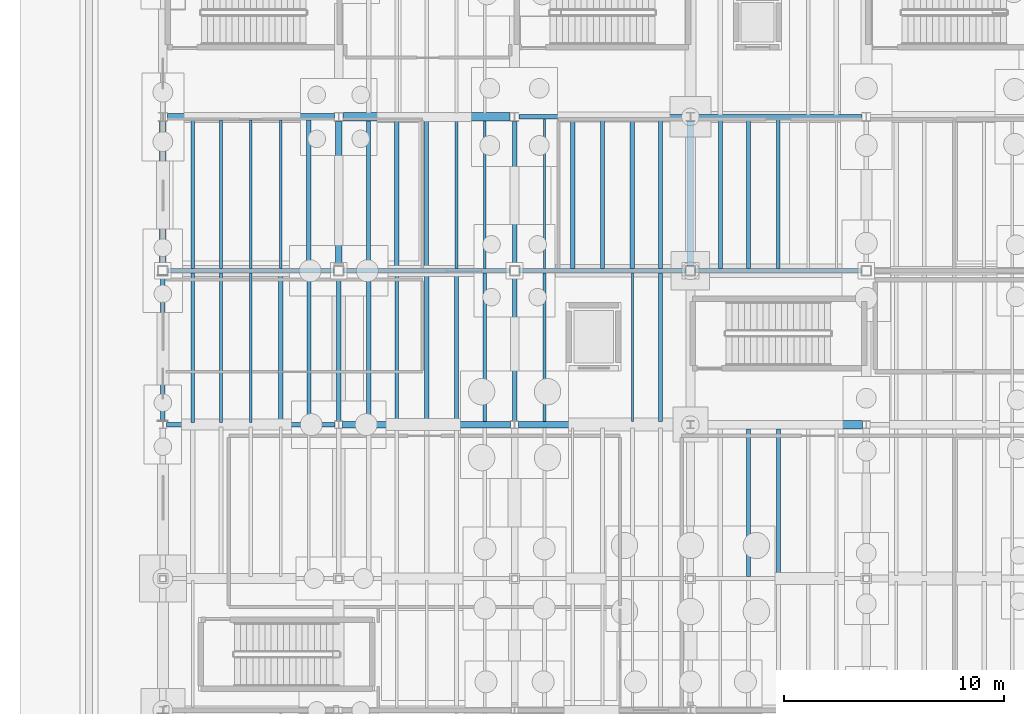
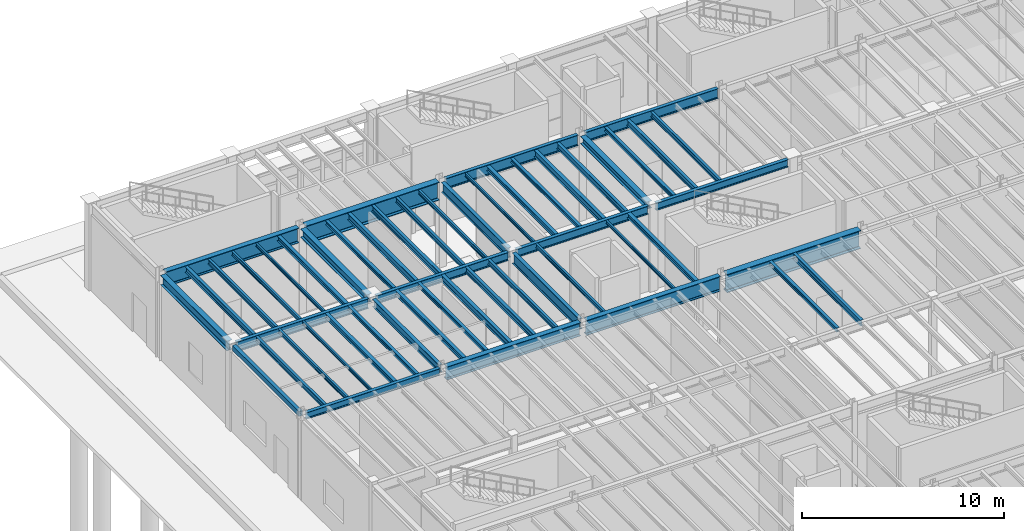
# One storey, part 27 of 86: 52 beams.
"""IFC4 building model written with IfcOpenShell, lengths in metres."""

import ifcopenshell
import ifcopenshell.guid

model = None  # the IFC model being written
_history = None  # IfcOwnerHistory: only IFC2X3 demands one
_inside = {}  # id of a spatial element -> (the spatial element, [elements in it])
_under = {}  # id of a project, library or spatial element -> (it, [spatial elements below it])
_declared = {}  # id of a project -> (the project, [libraries it declares])
_typed = {}  # id of a type object -> (the type object, [elements of that type])
_made_of = {}  # id of a material, layer set ... -> (it, [elements and type objects made of it])


def new_model(schema):
    """Start an empty IFC model of exactly this schema.

    Asked for "IFC4X3", IfcOpenShell would pick the latest addendum, in which some entities
    have other attributes; the version numbers below select the first issue.
    IFC2X3 requires an IfcOwnerHistory on every rooted entity: one is made here for all.
    """
    global model, _history
    if schema == "IFC4X3":
        model = ifcopenshell.file(schema_version=(4, 3, 0, 0))
    else:
        model = ifcopenshell.file(schema=schema)
    _inside.clear()
    _under.clear()
    _declared.clear()
    _typed.clear()
    _made_of.clear()
    _history = None
    if model.schema == "IFC2X3":
        org = make("IfcOrganization", Name="unknown")
        user = make(
            "IfcPersonAndOrganization",
            ThePerson=make("IfcPerson", FamilyName="unknown"),
            TheOrganization=org,
        )
        app = make(
            "IfcApplication",
            ApplicationDeveloper=org,
            Version="unknown",
            ApplicationFullName="unknown",
            ApplicationIdentifier="unknown",
        )
        _history = make(
            "IfcOwnerHistory",
            OwningUser=user,
            OwningApplication=app,
            ChangeAction="ADDED",
            CreationDate=0,
        )
    return model


def make(cls, **values):
    """One entity of the class cls with the attributes given. An attribute that is None is left unset."""
    return model.create_entity(
        cls, **{name: value for name, value in values.items() if value is not None}
    )


def rooted(cls, **values):
    """An entity with a GlobalId (a new one), such as an element, a storey or a relation."""
    return make(cls, GlobalId=ifcopenshell.guid.new(), OwnerHistory=_history, **values)


def si_unit(unit_type, name, prefix=None):
    """IfcSIUnit, for example si_unit("LENGTHUNIT", "METRE", prefix="MILLI")."""
    return make("IfcSIUnit", UnitType=unit_type, Prefix=prefix, Name=name)


def assignment(units):
    """IfcUnitAssignment: the units of a project."""
    return None if units is None else make("IfcUnitAssignment", Units=units)


def point(xyz):
    """IfcCartesianPoint."""
    return None if xyz is None else make("IfcCartesianPoint", Coordinates=xyz)


def direction(xyz):
    """IfcDirection."""
    return None if xyz is None else make("IfcDirection", DirectionRatios=xyz)


def frame(location, z_axis=None, x_axis=None):
    """IfcAxis2Placement3D, a coordinate frame: its origin and axes. An axis left out is left unset."""
    return make(
        "IfcAxis2Placement3D",
        Location=point(location),
        Axis=direction(z_axis),
        RefDirection=direction(x_axis),
    )


def frame_2d(location, x_axis=None):
    """IfcAxis2Placement2D, a coordinate frame in the plane: its origin and x axis."""
    return make(
        "IfcAxis2Placement2D", Location=point(location), RefDirection=direction(x_axis)
    )


def origin():
    """The frame at (0, 0, 0) with its axes left unset."""
    return frame((0.0, 0.0, 0.0))


def origin_2d():
    """The frame at (0, 0) in the plane with its x axis left unset."""
    return frame_2d((0.0, 0.0))


def place(relative_to, where):
    """IfcLocalPlacement: puts the frame where relative to a parent placement (None: the world)."""
    return make(
        "IfcLocalPlacement", PlacementRelTo=relative_to, RelativePlacement=where
    )


def context(
    kind, dimensions, precision=None, world=None, true_north=None, identifier=None
):
    """IfcGeometricRepresentationContext, for example the 3D "Model" context."""
    return make(
        "IfcGeometricRepresentationContext",
        ContextIdentifier=identifier,
        ContextType=kind,
        CoordinateSpaceDimension=dimensions,
        Precision=precision,
        WorldCoordinateSystem=world,
        TrueNorth=true_north,
    )


def subcontext(parent, identifier, kind, view, scale=None):
    """IfcGeometricRepresentationSubContext, for example "Body" below "Model"."""
    return make(
        "IfcGeometricRepresentationSubContext",
        ContextIdentifier=identifier,
        ContextType=kind,
        ParentContext=parent,
        TargetScale=scale,
        TargetView=view,
    )


def project(units=None, contexts=None):
    """IfcProject with its units and contexts."""
    return rooted(
        "IfcProject",
        Name="project",
        RepresentationContexts=contexts,
        UnitsInContext=assignment(units),
    )


def spatial(cls, under=None, at=None, **own):
    """A site, building, storey or space (cls), placed at a placement, below another one or the project."""
    s = rooted(cls, ObjectPlacement=at, **own)
    if under is not None:
        _under.setdefault(under.id(), (under, []))[1].append(s)
    return s


def profile(cls, at=None, kind="AREA", **sizes):
    """A parametric profile (cls). Its sizes go by their IFC names, for example OverallWidth=200.0."""
    return make(cls, ProfileType=kind, Position=at, **sizes)


def hollow_rectangle(**sizes):
    """IfcRectangleHollowProfileDef."""
    return profile("IfcRectangleHollowProfileDef", **sizes)


def i_section(**sizes):
    """IfcIShapeProfileDef."""
    return profile("IfcIShapeProfileDef", **sizes)


def extrude(swept, where, along, depth):
    """IfcExtrudedAreaSolid: the profile swept, set in the frame where, extruded along a direction by depth."""
    return make(
        "IfcExtrudedAreaSolid",
        SweptArea=swept,
        Position=where,
        ExtrudedDirection=direction(along),
        Depth=depth,
    )


def shape(context_of_items, identifier, shape_type, items):
    """IfcShapeRepresentation: the items that make up one representation, for example the "Body"."""
    return make(
        "IfcShapeRepresentation",
        ContextOfItems=context_of_items,
        RepresentationIdentifier=identifier,
        RepresentationType=shape_type,
        Items=items,
    )


def material(Name=None, Category=None):
    """IfcMaterial."""
    return make("IfcMaterial", Name=Name, Category=Category)


def material_profile(
    of_material, cross_section, Name=None, Category=None, Priority=None
):
    """IfcMaterialProfile: a cross section and its material."""
    return make(
        "IfcMaterialProfile",
        Name=Name,
        Material=of_material,
        Profile=cross_section,
        Priority=Priority,
        Category=Category,
    )


def profile_set(profiles, Name=None, composite=None):
    """IfcMaterialProfileSet."""
    return make(
        "IfcMaterialProfileSet",
        Name=Name,
        MaterialProfiles=profiles,
        CompositeProfile=composite,
    )


def made_of(thing, what):
    """Note that an element or type object is made of a material, layer set ...; save() writes the relation."""
    if what is not None:
        _made_of.setdefault(what.id(), (what, []))[1].append(thing)
    return thing


def type_object(cls, material=None, **own):
    """A type object (cls), such as IfcWallType, which elements share."""
    return made_of(rooted(cls, **own), material)


def element(
    cls,
    number,
    at=None,
    inside=None,
    cuts=None,
    type_object=None,
    material=None,
    context=None,
    identifier="Body",
    shape_type=None,
    held_by="IfcProductDefinitionShape",
    body=None,
    shapes=None,
    **own,
):
    """One element of the class cls, such as IfcWall. Its Tag is "e" and its number.

    at: its placement. inside: the storey or other place that contains it. cuts: it is an
    opening in that element (IfcRelVoidsElement). A single representation is given by context,
    identifier, shape_type and body (its items); several are given by shapes. held_by: the class
    of the entity that holds the representations. save() writes the other relations.
    """
    e = rooted(cls, Tag="e%d" % number, ObjectPlacement=at, **own)
    if body is not None:
        shapes = [shape(context, identifier, shape_type, body)]
    if shapes is not None:
        e.Representation = make(held_by, Representations=shapes)
    if inside is not None:
        _inside.setdefault(inside.id(), (inside, []))[1].append(e)
    if cuts is not None:
        rooted(
            "IfcRelVoidsElement", RelatingBuildingElement=cuts, RelatedOpeningElement=e
        )
    if type_object is not None:
        _typed.setdefault(type_object.id(), (type_object, []))[1].append(e)
    return made_of(e, material)


def aggregate(whole, parts):
    """IfcRelAggregates: a whole, such as a stair, and the parts it consists of."""
    return rooted("IfcRelAggregates", RelatingObject=whole, RelatedObjects=parts)


def save(model, path):
    """Write the relations noted so far, then the file.

    IfcRelAggregates (storeys below a building ...), IfcRelContainedInSpatialStructure (elements
    in a storey), IfcRelDefinesByType, IfcRelAssociatesMaterial and IfcRelDeclares: one each for
    every whole, place, type object, material and project.
    """
    for whole, parts in _under.values():
        aggregate(whole, parts)
    for where, things in _inside.values():
        rooted(
            "IfcRelContainedInSpatialStructure",
            RelatedElements=things,
            RelatingStructure=where,
        )
    for kind, things in _typed.values():
        rooted("IfcRelDefinesByType", RelatedObjects=things, RelatingType=kind)
    for what, things in _made_of.values():
        rooted("IfcRelAssociatesMaterial", RelatedObjects=things, RelatingMaterial=what)
    for by, libraries in _declared.values():
        rooted("IfcRelDeclares", RelatingContext=by, RelatedDefinitions=libraries)
    model.write(path)


model = new_model("IFC4")

# Units and contexts
model_context = context("Model", 3, precision=1e-05, world=origin(), true_north=direction((0.0, 1.0)))
body_context = subcontext(model_context, "Body", "Model", "MODEL_VIEW")
ifc_project = project(units=[si_unit("LENGTHUNIT", "METRE"), si_unit("AREAUNIT", "SQUARE_METRE"), si_unit("VOLUMEUNIT", "CUBIC_METRE"), si_unit("PLANEANGLEUNIT", "RADIAN"), si_unit("MASSUNIT", "GRAM", prefix="KILO"), si_unit("THERMODYNAMICTEMPERATUREUNIT", "KELVIN"), si_unit("POWERUNIT", "WATT")], contexts=[model_context])

# Site, building, storey
site_placement = place(None, origin())
site = spatial("IfcSite", under=ifc_project, at=site_placement, CompositionType="ELEMENT")
building_placement = place(site_placement, origin())
building = spatial("IfcBuilding", under=site, at=building_placement, Name="Zhenchuan Central Fire Station", CompositionType="ELEMENT")
storey_placement = place(building_placement, frame((0.0, 0.0, 0.449951171875)))
storey = spatial("IfcBuildingStorey", under=building, at=storey_placement, Name="L01", CompositionType="ELEMENT", Elevation=0.449951171875)

# Beams
ifc_material = material(Name="Steel Q355B", Category="steel")
ifc_material_profile_1 = material_profile(ifc_material, i_section(OverallWidth=0.300048828125, OverallDepth=0.43994140625, WebThickness=0.010986328125, FlangeThickness=0.01806640625, FilletRadius=0.02197265625, at=origin_2d()), Name="HM 440x300")
ifc_profile_set_1 = profile_set([ifc_material_profile_1], Name="Steel Q355B")
beam_type_1 = type_object("IfcBeamType", Name="BM-HM440-INT", PredefinedType="BEAM", material=ifc_profile_set_1)
beam_1_placement = place(storey_placement, frame((24.0, 42.72509765625, 4.93994140625), z_axis=(0.0, 1.0, 0.0), x_axis=(-1.0, 0.0, 0.0)))
element("IfcBeam", 1, at=beam_1_placement, inside=storey, type_object=beam_type_1, Name="L02 Girder NS 0128", PredefinedType="BEAM", context=body_context, shape_type="SweptSolid", body=[
    extrude(i_section(OverallWidth=0.300048828125, OverallDepth=0.43994140625, WebThickness=0.010986328125, FlangeThickness=0.01806640625, FilletRadius=0.02197265625, at=origin_2d()), origin(), (0.0, 0.0, 1.0), 6.574951171875),
])
ifc_material_profile_2 = material_profile(ifc_material, i_section(OverallWidth=0.300048828125, OverallDepth=0.5, WebThickness=0.010986328125, FlangeThickness=0.01806640625, FilletRadius=0.02197265625, at=origin_2d()), Name="HM 500x300")
ifc_profile_set_2 = profile_set([ifc_material_profile_2], Name="Steel Q355B")
beam_type_2 = type_object("IfcBeamType", Name="BM-HM500-INT", PredefinedType="BEAM", material=ifc_profile_set_2)
beam_2_placement = place(storey_placement, frame((8.0, 42.72509765625, 4.91015625), z_axis=(0.0, 1.0, 0.0), x_axis=(-1.0, 0.0, 0.0)))
element("IfcBeam", 2, at=beam_2_placement, inside=storey, type_object=beam_type_2, Name="L02 Girder NS 0116", PredefinedType="BEAM", context=body_context, shape_type="SweptSolid", body=[
    extrude(i_section(OverallWidth=0.300048828125, OverallDepth=0.5, WebThickness=0.010986328125, FlangeThickness=0.01806640625, FilletRadius=0.02197265625, at=origin_2d()), origin(), (0.0, 0.0, 1.0), 6.574951171875),
])
ifc_material_profile_3 = material_profile(ifc_material, i_section(OverallWidth=0.300048828125, OverallDepth=0.587890625, WebThickness=0.011962890625, FlangeThickness=0.02001953125, FilletRadius=0.02392578125, at=origin_2d()), Name="HM 588x300")
ifc_profile_set_3 = profile_set([ifc_material_profile_3], Name="Steel Q355B")
beam_type_3 = type_object("IfcBeamType", Name="BM-HM588-EXT", PredefinedType="BEAM", material=ifc_profile_set_3)
beam_3_placement = place(storey_placement, frame((0.0, 42.72509765625, 4.865966796875), z_axis=(0.0, 1.0, 0.0), x_axis=(-1.0, 0.0, 0.0)))
element("IfcBeam", 3, at=beam_3_placement, inside=storey, type_object=beam_type_3, Name="L02 Girder NS 0110", PredefinedType="BEAM", context=body_context, shape_type="SweptSolid", body=[
    extrude(i_section(OverallWidth=0.300048828125, OverallDepth=0.587890625, WebThickness=0.011962890625, FlangeThickness=0.02001953125, FilletRadius=0.02392578125, at=origin_2d()), origin(), (0.0, 0.0, 1.0), 6.574951171875),
])
ifc_material_profile_4 = material_profile(ifc_material, i_section(OverallWidth=0.199951171875, OverallDepth=0.449951171875, WebThickness=0.009033203125, FlangeThickness=0.013916015625, FilletRadius=0.01806640625, at=origin_2d()), Name="HN 450x200")
ifc_profile_set_4 = profile_set([ifc_material_profile_4], Name="Steel Q355B")
beam_type_4 = type_object("IfcBeamType", Name="BM-HN450", PredefinedType="BEAM", material=ifc_profile_set_4)
beam_4_placement = place(storey_placement, frame((24.22509765625, 42.5, 4.93505859375), z_axis=(1.0, 0.0, 0.0), x_axis=(0.0, 1.0, 0.0)))
element("IfcBeam", 4, at=beam_4_placement, inside=storey, type_object=beam_type_4, Name="L02 Girder EW 0075", PredefinedType="BEAM", context=body_context, shape_type="SweptSolid", body=[
    extrude(i_section(OverallWidth=0.199951171875, OverallDepth=0.449951171875, WebThickness=0.009033203125, FlangeThickness=0.013916015625, FilletRadius=0.01806640625, at=origin_2d()), origin(), (0.0, 0.0, 1.0), 7.5498046875),
])
beam_5_placement = place(storey_placement, frame((8.0, 35.675048828125, 4.93505859375), z_axis=(0.0, 1.0, 0.0), x_axis=(-1.0, 0.0, 0.0)))
element("IfcBeam", 5, at=beam_5_placement, inside=storey, type_object=beam_type_4, Name="L02 Girder NS 0115", PredefinedType="BEAM", context=body_context, shape_type="SweptSolid", body=[
    extrude(i_section(OverallWidth=0.199951171875, OverallDepth=0.449951171875, WebThickness=0.009033203125, FlangeThickness=0.013916015625, FilletRadius=0.01806640625, at=origin_2d()), origin(), (0.0, 0.0, 1.0), 6.599853515625),
])
ifc_material_profile_5 = material_profile(ifc_material, i_section(OverallWidth=0.199951171875, OverallDepth=0.5, WebThickness=0.010009765625, FlangeThickness=0.01611328125, FilletRadius=0.02001953125, at=origin_2d()), Name="HN 500x200")
ifc_profile_set_5 = profile_set([ifc_material_profile_5], Name="Steel Q355B")
beam_type_5 = type_object("IfcBeamType", Name="BM-HN500-INT", PredefinedType="BEAM", material=ifc_profile_set_5)
beam_6_placement = place(storey_placement, frame((16.22509765625, 42.5, 4.91015625), z_axis=(1.0, 0.0, 0.0), x_axis=(0.0, 1.0, 0.0)))
element("IfcBeam", 6, at=beam_6_placement, inside=storey, type_object=beam_type_5, Name="L02 Girder EW 0074", PredefinedType="BEAM", context=body_context, shape_type="SweptSolid", body=[
    extrude(i_section(OverallWidth=0.199951171875, OverallDepth=0.5, WebThickness=0.010009765625, FlangeThickness=0.01611328125, FilletRadius=0.02001953125, at=origin_2d()), origin(), (0.0, 0.0, 1.0), 7.5498046875),
])
ifc_material_profile_6 = material_profile(ifc_material, i_section(OverallWidth=0.199951171875, OverallDepth=0.60009765625, WebThickness=0.010986328125, FlangeThickness=0.01708984375, FilletRadius=0.02197265625, at=origin_2d()), Name="HN 600x200")
ifc_profile_set_6 = profile_set([ifc_material_profile_6], Name="Steel Q355B")
beam_type_6 = type_object("IfcBeamType", Name="BM-HN600-INT", PredefinedType="BEAM", material=ifc_profile_set_6)
beam_7_placement = place(storey_placement, frame((0.22509765625, 42.5, 4.860107421875), z_axis=(1.0, 0.0, 0.0), x_axis=(0.0, 1.0, 0.0)))
element("IfcBeam", 7, at=beam_7_placement, inside=storey, type_object=beam_type_6, Name="L02 Girder EW 0072", PredefinedType="BEAM", context=body_context, shape_type="SweptSolid", body=[
    extrude(i_section(OverallWidth=0.199951171875, OverallDepth=0.60009765625, WebThickness=0.010986328125, FlangeThickness=0.01708984375, FilletRadius=0.02197265625, at=origin_2d()), origin(), (0.0, 0.0, 1.0), 7.5498046875),
])
beam_8_placement = place(storey_placement, frame((24.199951171875, 49.5, 4.900146484375), z_axis=(1.0, 0.0, 0.0), x_axis=(0.0, 1.0, 0.0)))
element("IfcBeam", 8, at=beam_8_placement, inside=storey, type_object=beam_type_6, Name="L02 Girder EW 0086", PredefinedType="BEAM", context=body_context, shape_type="SweptSolid", body=[
    extrude(i_section(OverallWidth=0.199951171875, OverallDepth=0.60009765625, WebThickness=0.010986328125, FlangeThickness=0.01708984375, FilletRadius=0.02197265625, at=origin_2d()), origin(), (0.0, 0.0, 1.0), 7.60009765625),
])
beam_9_placement = place(storey_placement, frame((16.0, 42.72509765625, 4.860107421875), z_axis=(0.0, 1.0, 0.0), x_axis=(-1.0, 0.0, 0.0)))
element("IfcBeam", 9, at=beam_9_placement, inside=storey, type_object=beam_type_6, Name="L02 Girder NS 0123", PredefinedType="BEAM", context=body_context, shape_type="SweptSolid", body=[
    extrude(i_section(OverallWidth=0.199951171875, OverallDepth=0.60009765625, WebThickness=0.010986328125, FlangeThickness=0.01708984375, FilletRadius=0.02197265625, at=origin_2d()), origin(), (0.0, 0.0, 1.0), 6.574951171875),
])
ifc_material_profile_7 = material_profile(ifc_material, i_section(OverallWidth=0.199951171875, OverallDepth=0.64990234375, WebThickness=0.011962890625, FlangeThickness=0.02001953125, FilletRadius=0.02197265625, at=origin_2d()), Name="HN 650x200")
ifc_profile_set_7 = profile_set([ifc_material_profile_7], Name="Steel Q355B")
beam_type_7 = type_object("IfcBeamType", Name="BM-HN650", PredefinedType="BEAM", material=ifc_profile_set_7)
beam_10_placement = place(storey_placement, frame((16.199951171875, 49.5, 4.875), z_axis=(1.0, 0.0, 0.0), x_axis=(0.0, 1.0, 0.0)))
element("IfcBeam", 10, at=beam_10_placement, inside=storey, type_object=beam_type_7, Name="L02 Girder EW 0085", PredefinedType="BEAM", context=body_context, shape_type="SweptSolid", body=[
    extrude(i_section(OverallWidth=0.199951171875, OverallDepth=0.64990234375, WebThickness=0.011962890625, FlangeThickness=0.02001953125, FilletRadius=0.02197265625, at=origin_2d()), origin(), (0.0, 0.0, 1.0), 7.60009765625),
])
beam_11_placement = place(storey_placement, frame((16.0, 35.675048828125, 4.8349609375), z_axis=(0.0, 1.0, 0.0), x_axis=(-1.0, 0.0, 0.0)))
element("IfcBeam", 11, at=beam_11_placement, inside=storey, type_object=beam_type_7, Name="L02 Girder NS 0122", PredefinedType="BEAM", context=body_context, shape_type="SweptSolid", body=[
    extrude(i_section(OverallWidth=0.199951171875, OverallDepth=0.64990234375, WebThickness=0.011962890625, FlangeThickness=0.02001953125, FilletRadius=0.02197265625, at=origin_2d()), origin(), (0.0, 0.0, 1.0), 6.599853515625),
])
ifc_material_profile_8 = material_profile(ifc_material, i_section(OverallWidth=0.300048828125, OverallDepth=0.800048828125, WebThickness=0.013916015625, FlangeThickness=0.02587890625, FilletRadius=0.02587890625, at=origin_2d()), Name="HN 800x300")
ifc_profile_set_8 = profile_set([ifc_material_profile_8], Name="Steel Q355B")
beam_type_8 = type_object("IfcBeamType", Name="BM-HN800", PredefinedType="BEAM", material=ifc_profile_set_8)
beam_12_placement = place(storey_placement, frame((8.175048828125, 35.5, 4.760009765625), z_axis=(1.0, 0.0, 0.0), x_axis=(0.0, 1.0, 0.0)))
element("IfcBeam", 12, at=beam_12_placement, inside=storey, type_object=beam_type_8, Name="L02 Girder EW 0054", PredefinedType="BEAM", context=body_context, shape_type="SweptSolid", body=[
    extrude(i_section(OverallWidth=0.300048828125, OverallDepth=0.800048828125, WebThickness=0.013916015625, FlangeThickness=0.02587890625, FilletRadius=0.02587890625, at=origin_2d()), origin(), (0.0, 0.0, 1.0), 7.64990234375),
])
ifc_material_profile_9 = material_profile(ifc_material, i_section(OverallWidth=0.300048828125, OverallDepth=0.89990234375, WebThickness=0.01611328125, FlangeThickness=0.028076171875, FilletRadius=0.02587890625, at=origin_2d()), Name="HN 900x300")
ifc_profile_set_9 = profile_set([ifc_material_profile_9], Name="Steel Q355B")
beam_type_9 = type_object("IfcBeamType", Name="BM-HN900", PredefinedType="BEAM", material=ifc_profile_set_9)
beam_13_placement = place(storey_placement, frame((16.175048828125, 35.5, 4.7099609375), z_axis=(1.0, 0.0, 0.0), x_axis=(0.0, 1.0, 0.0)))
element("IfcBeam", 13, at=beam_13_placement, inside=storey, type_object=beam_type_9, Name="L02 Girder EW 0055", PredefinedType="BEAM", context=body_context, shape_type="SweptSolid", body=[
    extrude(i_section(OverallWidth=0.300048828125, OverallDepth=0.89990234375, WebThickness=0.01611328125, FlangeThickness=0.028076171875, FilletRadius=0.02587890625, at=origin_2d()), origin(), (0.0, 0.0, 1.0), 7.64990234375),
])
beam_14_placement = place(storey_placement, frame((0.199951171875, 49.5, 4.75), z_axis=(1.0, 0.0, 0.0), x_axis=(0.0, 1.0, 0.0)))
element("IfcBeam", 14, at=beam_14_placement, inside=storey, type_object=beam_type_9, Name="L02 Girder EW 0083", PredefinedType="BEAM", context=body_context, shape_type="SweptSolid", body=[
    extrude(i_section(OverallWidth=0.300048828125, OverallDepth=0.89990234375, WebThickness=0.01611328125, FlangeThickness=0.028076171875, FilletRadius=0.02587890625, at=origin_2d()), origin(), (0.0, 0.0, 1.0), 7.60009765625),
])
ifc_material_profile_10 = material_profile(ifc_material, i_section(OverallWidth=0.3798828125, OverallDepth=1.10009765625, WebThickness=0.02001953125, FlangeThickness=0.035888671875, FilletRadius=0.02392578125, at=origin_2d()), Name="PG 1100x380")
ifc_profile_set_10 = profile_set([ifc_material_profile_10], Name="Steel Q355B")
beam_type_10 = type_object("IfcBeamType", Name="BM-PG1100", PredefinedType="BEAM", material=ifc_profile_set_10)
beam_15_placement = place(storey_placement, frame((24.175048828125, 35.5, 4.610107421875), z_axis=(1.0, 0.0, 0.0), x_axis=(0.0, 1.0, 0.0)))
element("IfcBeam", 15, at=beam_15_placement, inside=storey, type_object=beam_type_10, Name="L02 Girder EW 0056", PredefinedType="BEAM", context=body_context, shape_type="SweptSolid", body=[
    extrude(i_section(OverallWidth=0.3798828125, OverallDepth=1.10009765625, WebThickness=0.02001953125, FlangeThickness=0.035888671875, FilletRadius=0.02392578125, at=origin_2d()), origin(), (0.0, 0.0, 1.0), 7.64990234375),
])
beam_16_placement = place(storey_placement, frame((8.199951171875, 49.5, 4.650146484375), z_axis=(1.0, 0.0, 0.0), x_axis=(0.0, 1.0, 0.0)))
element("IfcBeam", 16, at=beam_16_placement, inside=storey, type_object=beam_type_10, Name="L02 Girder EW 0084", PredefinedType="BEAM", context=body_context, shape_type="SweptSolid", body=[
    extrude(i_section(OverallWidth=0.3798828125, OverallDepth=1.10009765625, WebThickness=0.02001953125, FlangeThickness=0.035888671875, FilletRadius=0.02392578125, at=origin_2d()), origin(), (0.0, 0.0, 1.0), 7.60009765625),
])
ifc_material_profile_11 = material_profile(ifc_material, i_section(OverallWidth=0.175048828125, OverallDepth=0.243896484375, WebThickness=0.007080078125, FlangeThickness=0.010986328125, FilletRadius=0.012939453125, at=origin_2d()), Name="HM 244x175")
ifc_profile_set_11 = profile_set([ifc_material_profile_11], Name="Steel Q355B")
beam_type_11 = type_object("IfcBeamType", Name="JS-HM244", PredefinedType="JOIST", material=ifc_profile_set_11)
beam_17_placement = place(storey_placement, frame((26.639892578125, 28.596923828125, 5.0380859375), z_axis=(0.0, 1.0, 0.0), x_axis=(-1.0, 0.0, 0.0)))
element("IfcBeam", 17, at=beam_17_placement, inside=storey, type_object=beam_type_11, Name="L02 Secondary Joist 0150", PredefinedType="JOIST", context=body_context, shape_type="SweptSolid", body=[
    extrude(i_section(OverallWidth=0.175048828125, OverallDepth=0.243896484375, WebThickness=0.007080078125, FlangeThickness=0.010986328125, FilletRadius=0.012939453125, at=origin_2d()), origin(), (0.0, 0.0, 1.0), 6.716064453125),
])
beam_18_placement = place(storey_placement, frame((6.639892578125, 35.596923828125, 5.0380859375), z_axis=(0.0, 1.0, 0.0), x_axis=(-1.0, 0.0, 0.0)))
element("IfcBeam", 18, at=beam_18_placement, inside=storey, type_object=beam_type_11, Name="L02 Secondary Joist 0180", PredefinedType="JOIST", context=body_context, shape_type="SweptSolid", body=[
    extrude(i_section(OverallWidth=0.175048828125, OverallDepth=0.243896484375, WebThickness=0.007080078125, FlangeThickness=0.010986328125, FilletRadius=0.012939453125, at=origin_2d()), origin(), (0.0, 0.0, 1.0), 6.80615234375),
])
beam_19_placement = place(storey_placement, frame((10.639892578125, 35.64697265625, 5.0380859375), z_axis=(0.0, 1.0, 0.0), x_axis=(-1.0, 0.0, 0.0)))
element("IfcBeam", 19, at=beam_19_placement, inside=storey, type_object=beam_type_11, Name="L02 Secondary Joist 0182", PredefinedType="JOIST", context=body_context, shape_type="SweptSolid", body=[
    extrude(i_section(OverallWidth=0.175048828125, OverallDepth=0.243896484375, WebThickness=0.007080078125, FlangeThickness=0.010986328125, FilletRadius=0.012939453125, at=origin_2d()), origin(), (0.0, 0.0, 1.0), 6.756103515625),
])
beam_20_placement = place(storey_placement, frame((9.360107421875, 42.596923828125, 5.0380859375), z_axis=(0.0, 1.0, 0.0), x_axis=(-1.0, 0.0, 0.0)))
element("IfcBeam", 20, at=beam_20_placement, inside=storey, type_object=beam_type_11, Name="L02 Secondary Joist 0224", PredefinedType="JOIST", context=body_context, shape_type="SweptSolid", body=[
    extrude(i_section(OverallWidth=0.175048828125, OverallDepth=0.243896484375, WebThickness=0.007080078125, FlangeThickness=0.010986328125, FilletRadius=0.012939453125, at=origin_2d()), origin(), (0.0, 0.0, 1.0), 6.716064453125),
])
for number, where, z_axis, x_axis, name in (
    (21, (20.0, 42.596923828125, 5.0380859375), (0.0, 1.0, 0.0), (-1.0, 0.0, 0.0), "L02 Secondary Joist 0231"),
    (22, (25.360107421875, 42.596923828125, 5.0380859375), (0.0, 1.0, 0.0), (-1.0, 0.0, 0.0), "L02 Secondary Joist 0234"),
):
    element("IfcBeam", number, at=place(storey_placement, frame(where, z_axis=z_axis, x_axis=x_axis)), inside=storey, type_object=beam_type_11, Name=name, PredefinedType="JOIST", context=body_context, shape_type="SweptSolid", body=[
        extrude(i_section(OverallWidth=0.175048828125, OverallDepth=0.243896484375, WebThickness=0.007080078125, FlangeThickness=0.010986328125, FilletRadius=0.012939453125, at=origin_2d()), origin(), (0.0, 0.0, 1.0), 6.80615234375),
    ])
ifc_material_profile_12 = material_profile(ifc_material, i_section(OverallWidth=0.199951171875, OverallDepth=0.2939453125, WebThickness=0.008056640625, FlangeThickness=0.011962890625, FilletRadius=0.01611328125, at=origin_2d()), Name="HM 294x200")
ifc_profile_set_12 = profile_set([ifc_material_profile_12], Name="Steel Q355B")
beam_type_12 = type_object("IfcBeamType", Name="JS-HM294", PredefinedType="JOIST", material=ifc_profile_set_12)
beam_21_placement = place(storey_placement, frame((5.360107421875, 35.596923828125, 5.012939453125), z_axis=(0.0, 1.0, 0.0), x_axis=(-1.0, 0.0, 0.0)))
element("IfcBeam", 23, at=beam_21_placement, inside=storey, type_object=beam_type_12, Name="L02 Secondary Joist 0179", PredefinedType="JOIST", context=body_context, shape_type="SweptSolid", body=[
    extrude(i_section(OverallWidth=0.199951171875, OverallDepth=0.2939453125, WebThickness=0.008056640625, FlangeThickness=0.011962890625, FilletRadius=0.01611328125, at=origin_2d()), origin(), (0.0, 0.0, 1.0), 6.80615234375),
])
for number, where, z_axis, x_axis, name in (
    (24, (9.360107421875, 35.64697265625, 5.012939453125), (0.0, 1.0, 0.0), (-1.0, 0.0, 0.0), "L02 Secondary Joist 0181"),
    (25, (22.639892578125, 35.64697265625, 5.012939453125), (0.0, 1.0, 0.0), (-1.0, 0.0, 0.0), "L02 Secondary Joist 0188"),
    (26, (6.639892578125, 42.596923828125, 5.012939453125), (0.0, 1.0, 0.0), (-1.0, 0.0, 0.0), "L02 Secondary Joist 0223"),
):
    element("IfcBeam", number, at=place(storey_placement, frame(where, z_axis=z_axis, x_axis=x_axis)), inside=storey, type_object=beam_type_12, Name=name, PredefinedType="JOIST", context=body_context, shape_type="SweptSolid", body=[
        extrude(i_section(OverallWidth=0.199951171875, OverallDepth=0.2939453125, WebThickness=0.008056640625, FlangeThickness=0.011962890625, FilletRadius=0.01611328125, at=origin_2d()), origin(), (0.0, 0.0, 1.0), 6.756103515625),
    ])
beam_22_placement = place(storey_placement, frame((18.639892578125, 42.596923828125, 5.012939453125), z_axis=(0.0, 1.0, 0.0), x_axis=(-1.0, 0.0, 0.0)))
element("IfcBeam", 27, at=beam_22_placement, inside=storey, type_object=beam_type_12, Name="L02 Secondary Joist 0230", PredefinedType="JOIST", context=body_context, shape_type="SweptSolid", body=[
    extrude(i_section(OverallWidth=0.199951171875, OverallDepth=0.2939453125, WebThickness=0.008056640625, FlangeThickness=0.011962890625, FilletRadius=0.01611328125, at=origin_2d()), origin(), (0.0, 0.0, 1.0), 6.80615234375),
])
ifc_material_profile_13 = material_profile(ifc_material, i_section(OverallWidth=0.10009765625, OverallDepth=0.199951171875, WebThickness=0.005615234375, FlangeThickness=0.008056640625, FilletRadius=0.010986328125, at=origin_2d()), Name="HN 200x100")
ifc_profile_set_13 = profile_set([ifc_material_profile_13], Name="Steel Q355B")
beam_type_13 = type_object("IfcBeamType", Name="JS-HN200", PredefinedType="JOIST", material=ifc_profile_set_13)
beam_23_placement = place(storey_placement, frame((4.0, 35.596923828125, 5.06005859375), z_axis=(0.0, 1.0, 0.0), x_axis=(-1.0, 0.0, 0.0)))
element("IfcBeam", 28, at=beam_23_placement, inside=storey, type_object=beam_type_13, Name="L02 Secondary Joist 0178", PredefinedType="JOIST", context=body_context, shape_type="SweptSolid", body=[
    extrude(i_section(OverallWidth=0.10009765625, OverallDepth=0.199951171875, WebThickness=0.005615234375, FlangeThickness=0.008056640625, FilletRadius=0.010986328125, at=origin_2d()), origin(), (0.0, 0.0, 1.0), 6.80615234375),
])
for number, where, z_axis, x_axis, name in (
    (29, (21.360107421875, 35.64697265625, 5.06005859375), (0.0, 1.0, 0.0), (-1.0, 0.0, 0.0), "L02 Secondary Joist 0187"),
    (30, (5.360107421875, 42.596923828125, 5.06005859375), (0.0, 1.0, 0.0), (-1.0, 0.0, 0.0), "L02 Secondary Joist 0222"),
):
    element("IfcBeam", number, at=place(storey_placement, frame(where, z_axis=z_axis, x_axis=x_axis)), inside=storey, type_object=beam_type_13, Name=name, PredefinedType="JOIST", context=body_context, shape_type="SweptSolid", body=[
        extrude(i_section(OverallWidth=0.10009765625, OverallDepth=0.199951171875, WebThickness=0.005615234375, FlangeThickness=0.008056640625, FilletRadius=0.010986328125, at=origin_2d()), origin(), (0.0, 0.0, 1.0), 6.756103515625),
    ])
beam_24_placement = place(storey_placement, frame((17.360107421875, 42.596923828125, 5.06005859375), z_axis=(0.0, 1.0, 0.0), x_axis=(-1.0, 0.0, 0.0)))
element("IfcBeam", 31, at=beam_24_placement, inside=storey, type_object=beam_type_13, Name="L02 Secondary Joist 0229", PredefinedType="JOIST", context=body_context, shape_type="SweptSolid", body=[
    extrude(i_section(OverallWidth=0.10009765625, OverallDepth=0.199951171875, WebThickness=0.005615234375, FlangeThickness=0.008056640625, FilletRadius=0.010986328125, at=origin_2d()), origin(), (0.0, 0.0, 1.0), 6.80615234375),
])
ifc_material_profile_14 = material_profile(ifc_material, i_section(OverallWidth=0.125, OverallDepth=0.25, WebThickness=0.006103515625, FlangeThickness=0.009033203125, FilletRadius=0.011962890625, at=origin_2d()), Name="HN 250x125")
ifc_profile_set_14 = profile_set([ifc_material_profile_14], Name="Steel Q355B")
beam_type_14 = type_object("IfcBeamType", Name="JS-HN250", PredefinedType="JOIST", material=ifc_profile_set_14)
beam_25_placement = place(storey_placement, frame((2.639892578125, 35.596923828125, 5.03515625), z_axis=(0.0, 1.0, 0.0), x_axis=(-1.0, 0.0, 0.0)))
element("IfcBeam", 32, at=beam_25_placement, inside=storey, type_object=beam_type_14, Name="L02 Secondary Joist 0177", PredefinedType="JOIST", context=body_context, shape_type="SweptSolid", body=[
    extrude(i_section(OverallWidth=0.125, OverallDepth=0.25, WebThickness=0.006103515625, FlangeThickness=0.009033203125, FilletRadius=0.011962890625, at=origin_2d()), origin(), (0.0, 0.0, 1.0), 6.80615234375),
])
for number, where, z_axis, x_axis, name in (
    (33, (17.360107421875, 35.64697265625, 5.03515625), (0.0, 1.0, 0.0), (-1.0, 0.0, 0.0), "L02 Secondary Joist 0186"),
    (34, (4.0, 42.596923828125, 5.03515625), (0.0, 1.0, 0.0), (-1.0, 0.0, 0.0), "L02 Secondary Joist 0221"),
):
    element("IfcBeam", number, at=place(storey_placement, frame(where, z_axis=z_axis, x_axis=x_axis)), inside=storey, type_object=beam_type_14, Name=name, PredefinedType="JOIST", context=body_context, shape_type="SweptSolid", body=[
        extrude(i_section(OverallWidth=0.125, OverallDepth=0.25, WebThickness=0.006103515625, FlangeThickness=0.009033203125, FilletRadius=0.011962890625, at=origin_2d()), origin(), (0.0, 0.0, 1.0), 6.756103515625),
    ])
beam_26_placement = place(storey_placement, frame((14.639892578125, 42.596923828125, 5.03515625), z_axis=(0.0, 1.0, 0.0), x_axis=(-1.0, 0.0, 0.0)))
element("IfcBeam", 35, at=beam_26_placement, inside=storey, type_object=beam_type_14, Name="L02 Secondary Joist 0228", PredefinedType="JOIST", context=body_context, shape_type="SweptSolid", body=[
    extrude(i_section(OverallWidth=0.125, OverallDepth=0.25, WebThickness=0.006103515625, FlangeThickness=0.009033203125, FilletRadius=0.011962890625, at=origin_2d()), origin(), (0.0, 0.0, 1.0), 6.716064453125),
])
ifc_material_profile_15 = material_profile(ifc_material, i_section(OverallWidth=0.14990234375, OverallDepth=0.300048828125, WebThickness=0.006591796875, FlangeThickness=0.009033203125, FilletRadius=0.012939453125, at=origin_2d()), Name="HN 300x150")
ifc_profile_set_15 = profile_set([ifc_material_profile_15], Name="Steel Q355B")
beam_type_15 = type_object("IfcBeamType", Name="JS-HN300", PredefinedType="JOIST", material=ifc_profile_set_15)
beam_27_placement = place(storey_placement, frame((1.360107421875, 35.596923828125, 5.010009765625), z_axis=(0.0, 1.0, 0.0), x_axis=(-1.0, 0.0, 0.0)))
element("IfcBeam", 36, at=beam_27_placement, inside=storey, type_object=beam_type_15, Name="L02 Secondary Joist 0176", PredefinedType="JOIST", context=body_context, shape_type="SweptSolid", body=[
    extrude(i_section(OverallWidth=0.14990234375, OverallDepth=0.300048828125, WebThickness=0.006591796875, FlangeThickness=0.009033203125, FilletRadius=0.012939453125, at=origin_2d()), origin(), (0.0, 0.0, 1.0), 6.80615234375),
])
for number, where, z_axis, x_axis, name in (
    (37, (14.639892578125, 35.64697265625, 5.010009765625), (0.0, 1.0, 0.0), (-1.0, 0.0, 0.0), "L02 Secondary Joist 0185"),
    (38, (2.639892578125, 42.596923828125, 5.010009765625), (0.0, 1.0, 0.0), (-1.0, 0.0, 0.0), "L02 Secondary Joist 0220"),
):
    element("IfcBeam", number, at=place(storey_placement, frame(where, z_axis=z_axis, x_axis=x_axis)), inside=storey, type_object=beam_type_15, Name=name, PredefinedType="JOIST", context=body_context, shape_type="SweptSolid", body=[
        extrude(i_section(OverallWidth=0.14990234375, OverallDepth=0.300048828125, WebThickness=0.006591796875, FlangeThickness=0.009033203125, FilletRadius=0.012939453125, at=origin_2d()), origin(), (0.0, 0.0, 1.0), 6.756103515625),
    ])
beam_28_placement = place(storey_placement, frame((13.360107421875, 42.596923828125, 5.010009765625), z_axis=(0.0, 1.0, 0.0), x_axis=(-1.0, 0.0, 0.0)))
element("IfcBeam", 39, at=beam_28_placement, inside=storey, type_object=beam_type_15, Name="L02 Secondary Joist 0227", PredefinedType="JOIST", context=body_context, shape_type="SweptSolid", body=[
    extrude(i_section(OverallWidth=0.14990234375, OverallDepth=0.300048828125, WebThickness=0.006591796875, FlangeThickness=0.009033203125, FilletRadius=0.012939453125, at=origin_2d()), origin(), (0.0, 0.0, 1.0), 6.716064453125),
])
beam_29_placement = place(storey_placement, frame((28.0, 42.596923828125, 5.010009765625), z_axis=(0.0, 1.0, 0.0), x_axis=(-1.0, 0.0, 0.0)))
element("IfcBeam", 40, at=beam_29_placement, inside=storey, type_object=beam_type_15, Name="L02 Secondary Joist 0236", PredefinedType="JOIST", context=body_context, shape_type="SweptSolid", body=[
    extrude(i_section(OverallWidth=0.14990234375, OverallDepth=0.300048828125, WebThickness=0.006591796875, FlangeThickness=0.009033203125, FilletRadius=0.012939453125, at=origin_2d()), origin(), (0.0, 0.0, 1.0), 6.80615234375),
])
ifc_material_profile_16 = material_profile(ifc_material, i_section(OverallWidth=0.175048828125, OverallDepth=0.35009765625, WebThickness=0.007080078125, FlangeThickness=0.010986328125, FilletRadius=0.013916015625, at=origin_2d()), Name="HN 350x175")
ifc_profile_set_16 = profile_set([ifc_material_profile_16], Name="Steel Q355B")
beam_type_16 = type_object("IfcBeamType", Name="JS-HN350", PredefinedType="JOIST", material=ifc_profile_set_16)
beam_30_placement = place(storey_placement, frame((28.0, 28.596923828125, 4.985107421875), z_axis=(0.0, 1.0, 0.0), x_axis=(-1.0, 0.0, 0.0)))
element("IfcBeam", 41, at=beam_30_placement, inside=storey, type_object=beam_type_16, Name="L02 Secondary Joist 0151", PredefinedType="JOIST", context=body_context, shape_type="SweptSolid", body=[
    extrude(i_section(OverallWidth=0.175048828125, OverallDepth=0.35009765625, WebThickness=0.007080078125, FlangeThickness=0.010986328125, FilletRadius=0.013916015625, at=origin_2d()), origin(), (0.0, 0.0, 1.0), 6.716064453125),
])
for number, where, z_axis, x_axis, name in (
    (42, (13.360107421875, 35.64697265625, 4.985107421875), (0.0, 1.0, 0.0), (-1.0, 0.0, 0.0), "L02 Secondary Joist 0184"),
    (43, (1.360107421875, 42.596923828125, 4.985107421875), (0.0, 1.0, 0.0), (-1.0, 0.0, 0.0), "L02 Secondary Joist 0219"),
):
    element("IfcBeam", number, at=place(storey_placement, frame(where, z_axis=z_axis, x_axis=x_axis)), inside=storey, type_object=beam_type_16, Name=name, PredefinedType="JOIST", context=body_context, shape_type="SweptSolid", body=[
        extrude(i_section(OverallWidth=0.175048828125, OverallDepth=0.35009765625, WebThickness=0.007080078125, FlangeThickness=0.010986328125, FilletRadius=0.013916015625, at=origin_2d()), origin(), (0.0, 0.0, 1.0), 6.756103515625),
    ])
beam_31_placement = place(storey_placement, frame((12.0, 42.596923828125, 4.985107421875), z_axis=(0.0, 1.0, 0.0), x_axis=(-1.0, 0.0, 0.0)))
element("IfcBeam", 44, at=beam_31_placement, inside=storey, type_object=beam_type_16, Name="L02 Secondary Joist 0226", PredefinedType="JOIST", context=body_context, shape_type="SweptSolid", body=[
    extrude(i_section(OverallWidth=0.175048828125, OverallDepth=0.35009765625, WebThickness=0.007080078125, FlangeThickness=0.010986328125, FilletRadius=0.013916015625, at=origin_2d()), origin(), (0.0, 0.0, 1.0), 6.716064453125),
])
for number, where, z_axis, x_axis, name in (
    (45, (22.639892578125, 42.596923828125, 4.985107421875), (0.0, 1.0, 0.0), (-1.0, 0.0, 0.0), "L02 Secondary Joist 0233"),
    (46, (26.639892578125, 42.596923828125, 4.985107421875), (0.0, 1.0, 0.0), (-1.0, 0.0, 0.0), "L02 Secondary Joist 0235"),
):
    element("IfcBeam", number, at=place(storey_placement, frame(where, z_axis=z_axis, x_axis=x_axis)), inside=storey, type_object=beam_type_16, Name=name, PredefinedType="JOIST", context=body_context, shape_type="SweptSolid", body=[
        extrude(i_section(OverallWidth=0.175048828125, OverallDepth=0.35009765625, WebThickness=0.007080078125, FlangeThickness=0.010986328125, FilletRadius=0.013916015625, at=origin_2d()), origin(), (0.0, 0.0, 1.0), 6.80615234375),
    ])
ifc_material_profile_17 = material_profile(ifc_material, i_section(OverallWidth=0.199951171875, OverallDepth=0.39990234375, WebThickness=0.008056640625, FlangeThickness=0.012939453125, FilletRadius=0.01611328125, at=origin_2d()), Name="HN 400x200")
ifc_profile_set_17 = profile_set([ifc_material_profile_17], Name="Steel Q355B")
beam_type_17 = type_object("IfcBeamType", Name="JS-HN400", PredefinedType="JOIST", material=ifc_profile_set_17)
beam_32_placement = place(storey_placement, frame((12.0, 35.64697265625, 4.9599609375), z_axis=(0.0, 1.0, 0.0), x_axis=(-1.0, 0.0, 0.0)))
element("IfcBeam", 47, at=beam_32_placement, inside=storey, type_object=beam_type_17, Name="L02 Secondary Joist 0183", PredefinedType="JOIST", context=body_context, shape_type="SweptSolid", body=[
    extrude(i_section(OverallWidth=0.199951171875, OverallDepth=0.39990234375, WebThickness=0.008056640625, FlangeThickness=0.012939453125, FilletRadius=0.01611328125, at=origin_2d()), origin(), (0.0, 0.0, 1.0), 6.756103515625),
])
beam_33_placement = place(storey_placement, frame((10.639892578125, 42.596923828125, 4.9599609375), z_axis=(0.0, 1.0, 0.0), x_axis=(-1.0, 0.0, 0.0)))
element("IfcBeam", 48, at=beam_33_placement, inside=storey, type_object=beam_type_17, Name="L02 Secondary Joist 0225", PredefinedType="JOIST", context=body_context, shape_type="SweptSolid", body=[
    extrude(i_section(OverallWidth=0.199951171875, OverallDepth=0.39990234375, WebThickness=0.008056640625, FlangeThickness=0.012939453125, FilletRadius=0.01611328125, at=origin_2d()), origin(), (0.0, 0.0, 1.0), 6.716064453125),
])
beam_34_placement = place(storey_placement, frame((21.360107421875, 42.596923828125, 4.9599609375), z_axis=(0.0, 1.0, 0.0), x_axis=(-1.0, 0.0, 0.0)))
element("IfcBeam", 49, at=beam_34_placement, inside=storey, type_object=beam_type_17, Name="L02 Secondary Joist 0232", PredefinedType="JOIST", context=body_context, shape_type="SweptSolid", body=[
    extrude(i_section(OverallWidth=0.199951171875, OverallDepth=0.39990234375, WebThickness=0.008056640625, FlangeThickness=0.012939453125, FilletRadius=0.01611328125, at=origin_2d()), origin(), (0.0, 0.0, 1.0), 6.80615234375),
])
ifc_material_profile_18 = material_profile(ifc_material, i_section(OverallWidth=0.199951171875, OverallDepth=0.39990234375, WebThickness=0.008056640625, FlangeThickness=0.012939453125, FilletRadius=0.01611328125, at=origin_2d()), Name="HN 400x200")
ifc_profile_set_18 = profile_set([ifc_material_profile_18], Name="Steel Q355B")
beam_type_18 = type_object("IfcBeamType", Name="SP-HN400-INT", PredefinedType="SPANDREL", material=ifc_profile_set_18)
beam_35_placement = place(storey_placement, frame((0.175048828125, 35.5, 4.9599609375), z_axis=(1.0, 0.0, 0.0), x_axis=(0.0, 1.0, 0.0)))
element("IfcBeam", 50, at=beam_35_placement, inside=storey, type_object=beam_type_18, Name="L02 Girder EW 0053", PredefinedType="SPANDREL", context=body_context, shape_type="SweptSolid", body=[
    extrude(i_section(OverallWidth=0.199951171875, OverallDepth=0.39990234375, WebThickness=0.008056640625, FlangeThickness=0.012939453125, FilletRadius=0.01611328125, at=origin_2d()), origin(), (0.0, 0.0, 1.0), 7.64990234375),
])
ifc_material_profile_19 = material_profile(ifc_material, i_section(OverallWidth=0.199951171875, OverallDepth=0.5, WebThickness=0.010009765625, FlangeThickness=0.01611328125, FilletRadius=0.02001953125, at=origin_2d()), Name="HN 500x200")
ifc_profile_set_19 = profile_set([ifc_material_profile_19], Name="Steel Q355B")
beam_type_19 = type_object("IfcBeamType", Name="SP-HN500-INT", PredefinedType="SPANDREL", material=ifc_profile_set_19)
beam_36_placement = place(storey_placement, frame((8.22509765625, 42.5, 4.91015625), z_axis=(1.0, 0.0, 0.0), x_axis=(0.0, 1.0, 0.0)))
element("IfcBeam", 51, at=beam_36_placement, inside=storey, type_object=beam_type_19, Name="L02 Girder EW 0073", PredefinedType="SPANDREL", context=body_context, shape_type="SweptSolid", body=[
    extrude(i_section(OverallWidth=0.199951171875, OverallDepth=0.5, WebThickness=0.010009765625, FlangeThickness=0.01611328125, FilletRadius=0.02001953125, at=origin_2d()), origin(), (0.0, 0.0, 1.0), 7.5498046875),
])
ifc_material_profile_20 = material_profile(ifc_material, hollow_rectangle(XDim=0.199951171875, YDim=0.300048828125, WallThickness=0.011962890625, at=origin_2d()), Name="RHS 300x200x12")
ifc_profile_set_20 = profile_set([ifc_material_profile_20], Name="Steel Q355B")
beam_type_20 = type_object("IfcBeamType", Name="SP-RHS300", PredefinedType="SPANDREL", material=ifc_profile_set_20)
beam_37_placement = place(storey_placement, frame((0.0, 35.675048828125, 5.010009765625), z_axis=(0.0, 1.0, 0.0), x_axis=(-1.0, 0.0, 0.0)))
element("IfcBeam", 52, at=beam_37_placement, inside=storey, type_object=beam_type_20, Name="L02 Girder NS 0109", PredefinedType="SPANDREL", context=body_context, shape_type="SweptSolid", body=[
    extrude(hollow_rectangle(XDim=0.199951171875, YDim=0.300048828125, WallThickness=0.011962890625, at=origin_2d()), origin(), (0.0, 0.0, 1.0), 6.599853515625),
])

save(model, "model.ifc")
